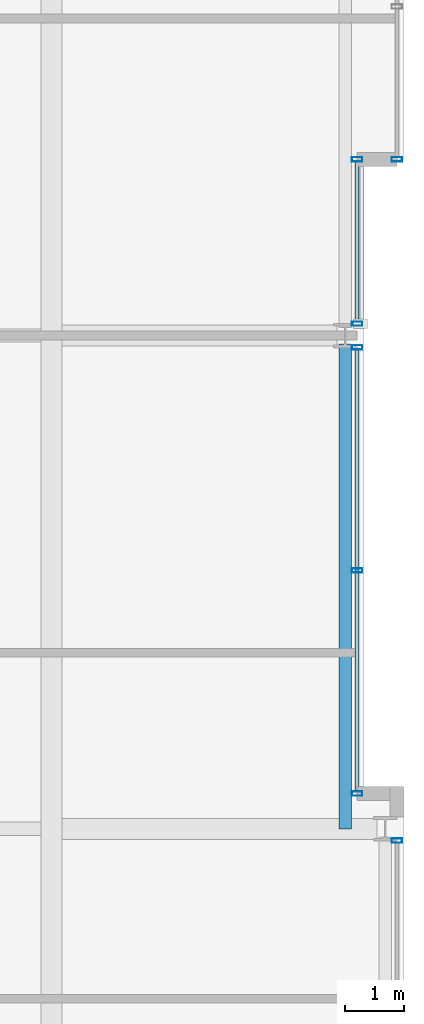
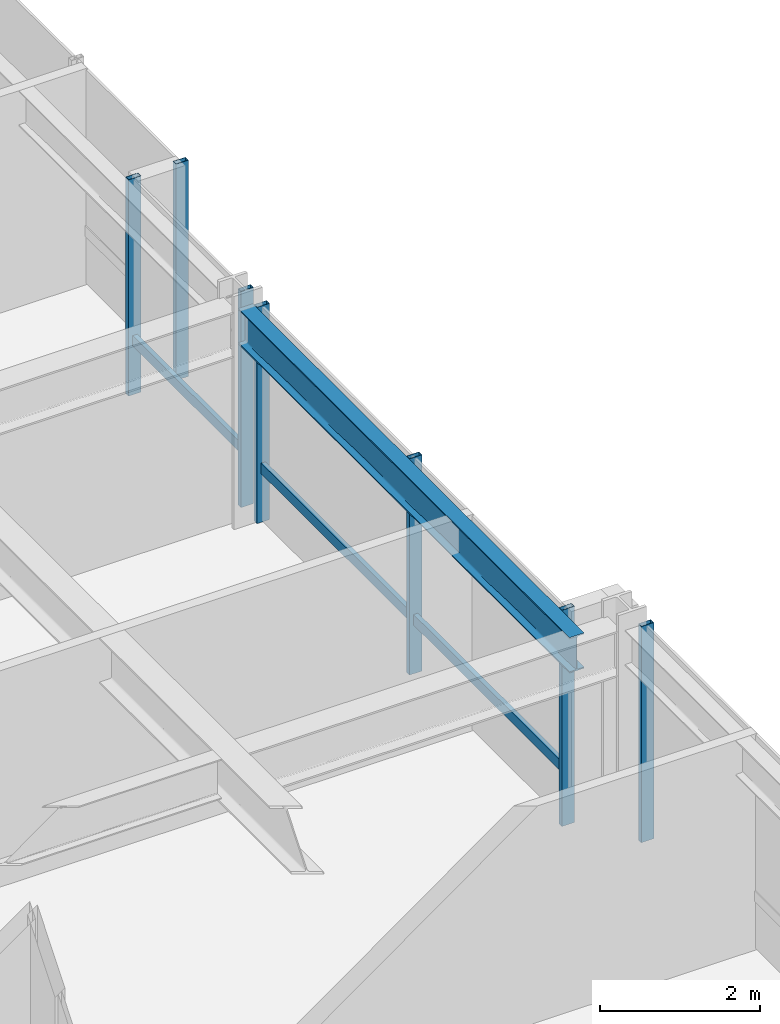
# One storey, part 15 of 33: 9 members, 1 beam, 4 elements without a shape of their own.
"""IFC4 building model written with IfcOpenShell, lengths in metres."""

from ifc_helpers import new_model, si_unit, direction, frame, origin, origin_2d, place, context, subcontext, project, spatial, hollow_rectangle, i_section, extrude, material, layer, layer_set, material_profile, profile_set, type_object, element, aggregate, save


model = new_model("IFC4")

# Units and contexts
model_context = context("Model", 3, precision=1e-05, world=origin(), true_north=direction((0.0, 1.0)))
body_context = subcontext(model_context, "Body", "Model", "MODEL_VIEW")
ifc_project = project(units=[si_unit("LENGTHUNIT", "METRE"), si_unit("AREAUNIT", "SQUARE_METRE"), si_unit("VOLUMEUNIT", "CUBIC_METRE"), si_unit("PLANEANGLEUNIT", "RADIAN"), si_unit("MASSUNIT", "GRAM", prefix="KILO")], contexts=[model_context])

# Site, building, storey
site_placement = place(None, origin())
site = spatial("IfcSite", under=ifc_project, at=site_placement, CompositionType="ELEMENT")
building_placement = place(site_placement, origin())
building = spatial("IfcBuilding", under=site, at=building_placement, Name="Drelvath Grand Hotel", CompositionType="ELEMENT")
storey_placement = place(building_placement, frame((0.0, 0.0, 153.949951171875)))
storey = spatial("IfcBuildingStorey", under=building, at=storey_placement, Name="L39", CompositionType="ELEMENT", Elevation=153.949951171875)

# Curtain wall, member
ifc_material_1 = material(Name="Brushed Pale-Silver Anodised Aluminium Frame", Category="aluminium")
ifc_layer = layer(ifc_material_1, 0.199951171875)
ifc_layer_set = layer_set([ifc_layer], Name="Brushed Pale-Silver Anodised Aluminium Frame")
curtain_wall_type = type_object("IfcCurtainWallType", Name="Stick Curtain Wall CW-04 Brushed Silver Upper-Mid", PredefinedType="NOTDEFINED", material=ifc_layer_set)
curtain_wall_1_placement = place(storey_placement, origin())
curtain_wall_1 = element("IfcCurtainWall", 1, at=curtain_wall_1_placement, inside=storey, type_object=curtain_wall_type, Name="L39 CW-04 Curtain Wall CW04-L39-EM1", PredefinedType="NOTDEFINED")
ifc_material_profile_1 = material_profile(ifc_material_1, hollow_rectangle(XDim=0.06494140625, YDim=0.159912109375, WallThickness=0.00390625, at=origin_2d()), Name="HSS160X65X4")
ifc_profile_set_1 = profile_set([ifc_material_profile_1], Name="Brushed Pale-Silver Anodised Aluminium Frame")
member_type_1 = type_object("IfcMemberType", Name="Curtain Wall Horizontal Transom CW-04 HSS160X65X4", PredefinedType="USERDEFINED", material=ifc_profile_set_1)
member_1_placement = place(storey_placement, frame((21.39990234375, 26.760009765625, 0.822509765625), z_axis=(0.0, -1.0, 0.0), x_axis=(1.0, 0.0, 0.0)))
member_1 = element("IfcMember", 2, at=member_1_placement, type_object=member_type_1, Name="CW04-L39-EM1 Sill Transom", ObjectType="TRANSOM", PredefinedType="USERDEFINED", context=body_context, shape_type="SweptSolid", body=[
    extrude(hollow_rectangle(XDim=0.06494140625, YDim=0.159912109375, WallThickness=0.00390625, at=origin_2d()), origin(), (0.0, 0.0, 1.0), 7.52001953125),
])

curtain_wall_2_placement = place(storey_placement, origin())
curtain_wall_2 = element("IfcCurtainWall", 3, at=curtain_wall_2_placement, inside=storey, type_object=curtain_wall_type, Name="L39 CW-04 Curtain Wall CW04-L39-EM2", PredefinedType="NOTDEFINED")
member_2_placement = place(storey_placement, frame((21.39990234375, 29.9599609375, 0.822509765625), z_axis=(0.0, -1.0, 0.0), x_axis=(1.0, 0.0, 0.0)))
member_2 = element("IfcMember", 4, at=member_2_placement, type_object=member_type_1, Name="CW04-L39-EM2 Sill Transom", ObjectType="TRANSOM", PredefinedType="USERDEFINED", context=body_context, shape_type="SweptSolid", body=[
    extrude(hollow_rectangle(XDim=0.06494140625, YDim=0.159912109375, WallThickness=0.00390625, at=origin_2d()), origin(), (0.0, 0.0, 1.0), 2.719970703125),
])

curtain_wall_3_placement = place(storey_placement, origin())
curtain_wall_3 = element("IfcCurtainWall", 5, at=curtain_wall_3_placement, inside=storey, type_object=curtain_wall_type, Name="L39 CW-04 Curtain Wall CW04-L39-EN1", PredefinedType="NOTDEFINED")
ifc_material_profile_2 = material_profile(ifc_material_1, hollow_rectangle(XDim=0.074951171875, YDim=0.179931640625, WallThickness=0.0048828125, at=origin_2d()), Name="HSS180X75X5")
ifc_profile_set_2 = profile_set([ifc_material_profile_2], Name="Brushed Pale-Silver Anodised Aluminium Frame")
member_type_2 = type_object("IfcMemberType", Name="Curtain Wall Vertical Mullion CW-04 HSS180X75X5", PredefinedType="MULLION", material=ifc_profile_set_2)
member_3_placement = place(storey_placement, frame((22.080078125, 30.0, 0.0), z_axis=(0.0, 0.0, 1.0), x_axis=(0.0, 1.0, 0.0)))
member_3 = element("IfcMember", 6, at=member_3_placement, type_object=member_type_2, Name="CW04-L39-EN1 Mullion 3", PredefinedType="MULLION", context=body_context, shape_type="SweptSolid", body=[
    extrude(hollow_rectangle(XDim=0.074951171875, YDim=0.179931640625, WallThickness=0.0048828125, at=origin_2d()), origin(), (0.0, 0.0, 1.0), 3.2900390625),
])
aggregate(curtain_wall_3, [member_3])

# Member
member_4_placement = place(storey_placement, frame((21.39990234375, 26.7998046875, 0.0), z_axis=(0.0, 0.0, 1.0), x_axis=(0.0, 1.0, 0.0)))
member_4 = element("IfcMember", 7, at=member_4_placement, type_object=member_type_2, Name="CW04-L39-EM1 Mullion 1", PredefinedType="MULLION", context=body_context, shape_type="SweptSolid", body=[
    extrude(hollow_rectangle(XDim=0.074951171875, YDim=0.179931640625, WallThickness=0.0048828125, at=origin_2d()), origin(), (0.0, 0.0, 1.0), 3.2900390625),
])

member_5_placement = place(storey_placement, frame((21.39990234375, 23.0, 0.0), z_axis=(0.0, 0.0, 1.0), x_axis=(0.0, 1.0, 0.0)))
member_5 = element("IfcMember", 8, at=member_5_placement, type_object=member_type_2, Name="CW04-L39-EM1 Mullion 2", PredefinedType="MULLION", context=body_context, shape_type="SweptSolid", body=[
    extrude(hollow_rectangle(XDim=0.074951171875, YDim=0.179931640625, WallThickness=0.0048828125, at=origin_2d()), origin(), (0.0, 0.0, 1.0), 3.2900390625),
])

member_6_placement = place(storey_placement, frame((21.39990234375, 19.199951171875, 0.0), z_axis=(0.0, 0.0, 1.0), x_axis=(0.0, 1.0, 0.0)))
member_6 = element("IfcMember", 9, at=member_6_placement, type_object=member_type_2, Name="CW04-L39-EM1 Mullion 3", PredefinedType="MULLION", context=body_context, shape_type="SweptSolid", body=[
    extrude(hollow_rectangle(XDim=0.074951171875, YDim=0.179931640625, WallThickness=0.0048828125, at=origin_2d()), origin(), (0.0, 0.0, 1.0), 3.2900390625),
])

aggregate(curtain_wall_1, [member_4, member_5, member_6, member_1])

member_7_placement = place(storey_placement, frame((21.39990234375, 30.0, 0.0), z_axis=(0.0, 0.0, 1.0), x_axis=(0.0, 1.0, 0.0)))
member_7 = element("IfcMember", 10, at=member_7_placement, type_object=member_type_2, Name="CW04-L39-EM2 Mullion 1", PredefinedType="MULLION", context=body_context, shape_type="SweptSolid", body=[
    extrude(hollow_rectangle(XDim=0.074951171875, YDim=0.179931640625, WallThickness=0.0048828125, at=origin_2d()), origin(), (0.0, 0.0, 1.0), 3.2900390625),
])

member_8_placement = place(storey_placement, frame((21.39990234375, 27.2001953125, 0.0), z_axis=(0.0, 0.0, 1.0), x_axis=(0.0, 1.0, 0.0)))
member_8 = element("IfcMember", 11, at=member_8_placement, type_object=member_type_2, Name="CW04-L39-EM2 Mullion 2", PredefinedType="MULLION", context=body_context, shape_type="SweptSolid", body=[
    extrude(hollow_rectangle(XDim=0.074951171875, YDim=0.179931640625, WallThickness=0.0048828125, at=origin_2d()), origin(), (0.0, 0.0, 1.0), 3.2900390625),
])

aggregate(curtain_wall_2, [member_7, member_8, member_2])

# Curtain wall, member
curtain_wall_4_placement = place(storey_placement, origin())
curtain_wall_4 = element("IfcCurtainWall", 12, at=curtain_wall_4_placement, inside=storey, type_object=curtain_wall_type, Name="L39 CW-04 Curtain Wall CW04-L39-ES2", PredefinedType="NOTDEFINED")
member_9_placement = place(storey_placement, frame((22.080078125, 18.39990234375, 0.0), z_axis=(0.0, 0.0, 1.0), x_axis=(0.0, 1.0, 0.0)))
member_9 = element("IfcMember", 13, at=member_9_placement, type_object=member_type_2, Name="CW04-L39-ES2 Mullion 1", PredefinedType="MULLION", context=body_context, shape_type="SweptSolid", body=[
    extrude(hollow_rectangle(XDim=0.074951171875, YDim=0.179931640625, WallThickness=0.0048828125, at=origin_2d()), origin(), (0.0, 0.0, 1.0), 3.2900390625),
])
aggregate(curtain_wall_4, [member_9])

# Beam
ifc_material_2 = material(Name="Steel ASTM A992 Gr 50", Category="steel")
ifc_material_profile_3 = material_profile(ifc_material_2, i_section(OverallWidth=0.210205078125, OverallDepth=0.53662109375, WebThickness=0.010986328125, FlangeThickness=0.017333984375, FilletRadius=0.01806640625, at=origin_2d()), Name="W21X68")
ifc_profile_set_3 = profile_set([ifc_material_profile_3], Name="Steel ASTM A992 Gr 50")
beam_type = type_object("IfcBeamType", Name="Perimeter Spandrel Beam W21X68", PredefinedType="SPANDREL", material=ifc_profile_set_3)
beam_placement = place(storey_placement, frame((21.199951171875, 18.60009765625, 3.021728515625), z_axis=(0.0, 1.0, 0.0), x_axis=(-1.0, 0.0, 0.0)))
element("IfcBeam", 14, at=beam_placement, inside=storey, type_object=beam_type, Name="L39 Spandrel East Mid S", PredefinedType="SPANDREL", context=body_context, shape_type="SweptSolid", body=[
    extrude(i_section(OverallWidth=0.210205078125, OverallDepth=0.53662109375, WebThickness=0.010986328125, FlangeThickness=0.017333984375, FilletRadius=0.01806640625, at=origin_2d()), origin(), (0.0, 0.0, 1.0), 8.260009765625),
])

save(model, "model.ifc")
